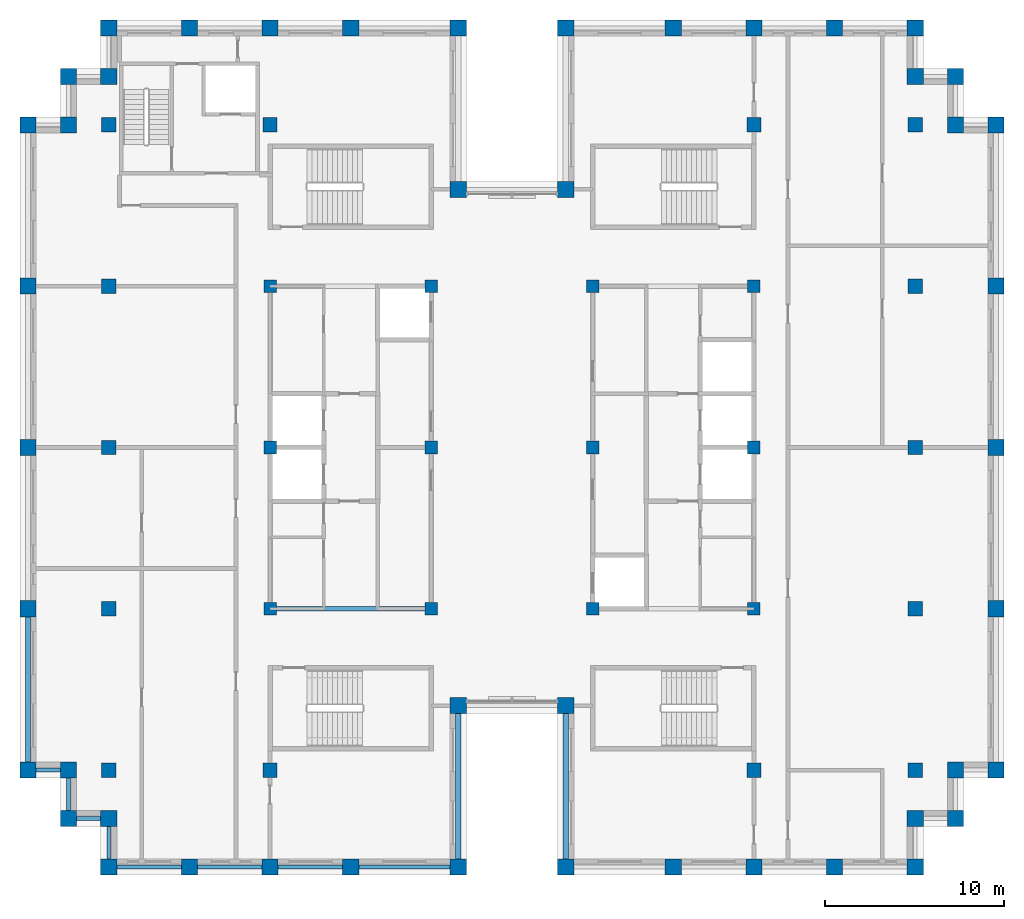
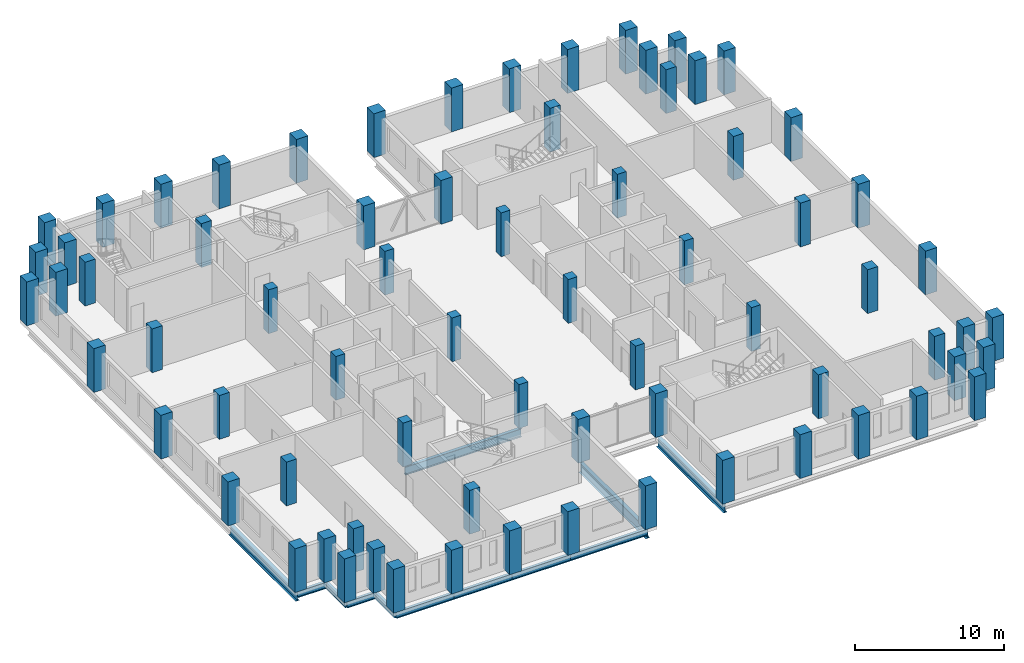
# One storey, part 1 of 13: 72 columns, 12 beams.
"""IFC4 building model written with IfcOpenShell, lengths in metres."""

from ifc_helpers import new_model, si_unit, direction, frame, origin, origin_2d, place, context, subcontext, project, spatial, rectangle, i_section, extrude, material, material_profile, profile_set, type_object, element, save


model = new_model("IFC4")

# Units and contexts
model_context = context("Model", 3, precision=1e-05, world=origin(), true_north=direction((0.0, 1.0)))
body_context = subcontext(model_context, "Body", "Model", "MODEL_VIEW")
ifc_project = project(units=[si_unit("LENGTHUNIT", "METRE"), si_unit("AREAUNIT", "SQUARE_METRE"), si_unit("VOLUMEUNIT", "CUBIC_METRE"), si_unit("PLANEANGLEUNIT", "RADIAN"), si_unit("MASSUNIT", "GRAM", prefix="KILO")], contexts=[model_context])

# Site, building, storey
site_placement = place(None, origin())
site = spatial("IfcSite", under=ifc_project, at=site_placement, CompositionType="ELEMENT")
building_placement = place(site_placement, origin())
building = spatial("IfcBuilding", under=site, at=building_placement, Name="Corbelhall Arena Tower", CompositionType="ELEMENT")
storey_placement = place(building_placement, frame((0.0, 0.0, 316.0)))
storey = spatial("IfcBuildingStorey", under=building, at=storey_placement, Name="L69", CompositionType="ELEMENT", Elevation=316.0)

# Columns
ifc_material_1 = material(Name="Concrete C80/95", Category="concrete")
ifc_material_profile_1 = material_profile(ifc_material_1, rectangle(XDim=0.699951171875, YDim=0.699951171875, at=origin_2d()))
ifc_profile_set_1 = profile_set([ifc_material_profile_1], Name="Concrete C80/95")
column_type_1 = type_object("IfcColumnType", Name="ST-COL-RC 700x700", PredefinedType="COLUMN", material=ifc_profile_set_1)
for number, where, z_axis, x_axis, name in (
    (1, (4.5, 0.0, 0.0), (0.0, 0.0, 1.0), (1.0, 0.0, 0.0), "Column KE+0450+0000"),
    (2, (4.5, 9.0, 0.0), (0.0, 0.0, 1.0), (1.0, 0.0, 0.0), "Column KE+0450+0900"),
    (3, (4.5, -9.0, 0.0), (0.0, 0.0, 1.0), (1.0, 0.0, 0.0), "Column KE+0450-0900"),
    (4, (13.5, 0.0, 0.0), (0.0, 0.0, 1.0), (1.0, 0.0, 0.0), "Column KE+1350+0000"),
    (5, (13.5, 9.0, 0.0), (0.0, 0.0, 1.0), (1.0, 0.0, 0.0), "Column KE+1350+0900"),
    (6, (13.5, -9.0, 0.0), (0.0, 0.0, 1.0), (1.0, 0.0, 0.0), "Column KE+1350-0900"),
    (7, (-4.5, 0.0, 0.0), (0.0, 0.0, 1.0), (1.0, 0.0, 0.0), "Column KW-0450+0000"),
    (8, (-4.5, 9.0, 0.0), (0.0, 0.0, 1.0), (1.0, 0.0, 0.0), "Column KW-0450+0900"),
    (9, (-4.5, -9.0, 0.0), (0.0, 0.0, 1.0), (1.0, 0.0, 0.0), "Column KW-0450-0900"),
    (10, (-13.5, 0.0, 0.0), (0.0, 0.0, 1.0), (1.0, 0.0, 0.0), "Column KW-1350+0000"),
    (11, (-13.5, 9.0, 0.0), (0.0, 0.0, 1.0), (1.0, 0.0, 0.0), "Column KW-1350+0900"),
    (12, (-13.5, -9.0, 0.0), (0.0, 0.0, 1.0), (1.0, 0.0, 0.0), "Column KW-1350-0900"),
):
    element("IfcColumn", number, at=place(storey_placement, frame(where, z_axis=z_axis, x_axis=x_axis)), inside=storey, type_object=column_type_1, Name=name, PredefinedType="COLUMN", context=body_context, shape_type="SweptSolid", body=[
        extrude(rectangle(XDim=0.699951171875, YDim=0.699951171875, at=origin_2d()), origin(), (0.0, 0.0, 1.0), 3.590087890625),
    ])
ifc_material_profile_2 = material_profile(ifc_material_1, rectangle(XDim=0.800048828125, YDim=0.800048828125, at=origin_2d()))
ifc_profile_set_2 = profile_set([ifc_material_profile_2], Name="Concrete C80/95")
column_type_2 = type_object("IfcColumnType", Name="ST-COL-RC 800x800", PredefinedType="COLUMN", material=ifc_profile_set_2)
for number, where, z_axis, x_axis, name in (
    (13, (13.5, 18.0, 0.0), (0.0, 0.0, 1.0), (1.0, 0.0, 0.0), "Column IE13+1800"),
    (14, (13.5, -18.0, 0.0), (0.0, 0.0, 1.0), (1.0, 0.0, 0.0), "Column IE13-1800"),
    (15, (22.5, 0.0, 0.0), (0.0, 0.0, 1.0), (1.0, 0.0, 0.0), "Column IE22+0000"),
    (16, (22.5, 9.0, 0.0), (0.0, 0.0, 1.0), (1.0, 0.0, 0.0), "Column IE22+0900"),
    (17, (22.5, 18.0, 0.0), (0.0, 0.0, 1.0), (1.0, 0.0, 0.0), "Column IE22+1800"),
    (18, (22.5, -9.0, 0.0), (0.0, 0.0, 1.0), (1.0, 0.0, 0.0), "Column IE22-0900"),
    (19, (22.5, -18.0, 0.0), (0.0, 0.0, 1.0), (1.0, 0.0, 0.0), "Column IE22-1800"),
    (20, (-13.5, 18.0, 0.0), (0.0, 0.0, 1.0), (1.0, 0.0, 0.0), "Column IW13+1800"),
    (21, (-13.5, -18.0, 0.0), (0.0, 0.0, 1.0), (1.0, 0.0, 0.0), "Column IW13-1800"),
    (22, (-22.5, 0.0, 0.0), (0.0, 0.0, 1.0), (1.0, 0.0, 0.0), "Column IW22+0000"),
    (23, (-22.5, 9.0, 0.0), (0.0, 0.0, 1.0), (1.0, 0.0, 0.0), "Column IW22+0900"),
    (24, (-22.5, 18.0, 0.0), (0.0, 0.0, 1.0), (1.0, 0.0, 0.0), "Column IW22+1800"),
    (25, (-22.5, -9.0, 0.0), (0.0, 0.0, 1.0), (1.0, 0.0, 0.0), "Column IW22-0900"),
    (26, (-22.5, -18.0, 0.0), (0.0, 0.0, 1.0), (1.0, 0.0, 0.0), "Column IW22-1800"),
):
    element("IfcColumn", number, at=place(storey_placement, frame(where, z_axis=z_axis, x_axis=x_axis)), inside=storey, type_object=column_type_2, Name=name, PredefinedType="COLUMN", context=body_context, shape_type="SweptSolid", body=[
        extrude(rectangle(XDim=0.800048828125, YDim=0.800048828125, at=origin_2d()), origin(), (0.0, 0.0, 1.0), 3.590087890625),
    ])
ifc_material_profile_3 = material_profile(ifc_material_1, rectangle(XDim=0.89990234375, YDim=0.89990234375, at=origin_2d()))
ifc_profile_set_3 = profile_set([ifc_material_profile_3], Name="Concrete C80/95")
column_type_3 = type_object("IfcColumnType", Name="ST-COL-RC 900x900", PredefinedType="COLUMN", material=ifc_profile_set_3)
for number, where, z_axis, x_axis, name in (
    (27, (27.0, 0.0, 0.0), (0.0, 0.0, 1.0), (0.0, 1.0, 0.0), "Column PE+0000"),
    (28, (27.0, 9.0, 0.0), (0.0, 0.0, 1.0), (0.0, 1.0, 0.0), "Column PE+0900"),
    (29, (27.0, 18.0, 0.0), (0.0, 0.0, 1.0), (0.0, 1.0, 0.0), "Column PE+1800"),
    (30, (27.0, -9.0, 0.0), (0.0, 0.0, 1.0), (0.0, 1.0, 0.0), "Column PE-0900"),
    (31, (27.0, -18.0, 0.0), (0.0, 0.0, 1.0), (0.0, 1.0, 0.0), "Column PE-1800"),
    (32, (3.0, 23.39990234375, 0.0), (0.0, 0.0, 1.0), (1.0, 0.0, 0.0), "Column PNE0300"),
    (33, (9.0, 23.39990234375, 0.0), (0.0, 0.0, 1.0), (1.0, 0.0, 0.0), "Column PNE0900"),
    (34, (13.5, 23.39990234375, 0.0), (0.0, 0.0, 1.0), (1.0, 0.0, 0.0), "Column PNE1350"),
    (35, (18.0, 23.39990234375, 0.0), (0.0, 0.0, 1.0), (1.0, 0.0, 0.0), "Column PNE1800"),
    (36, (22.5, 23.39990234375, 0.0), (0.0, 0.0, 1.0), (1.0, 0.0, 0.0), "Column PNE2250"),
    (37, (-3.0, 23.39990234375, 0.0), (0.0, 0.0, 1.0), (1.0, 0.0, 0.0), "Column PNW0300"),
    (38, (-9.0, 23.39990234375, 0.0), (0.0, 0.0, 1.0), (1.0, 0.0, 0.0), "Column PNW0900"),
    (39, (-13.5, 23.39990234375, 0.0), (0.0, 0.0, 1.0), (1.0, 0.0, 0.0), "Column PNW1350"),
    (40, (-18.0, 23.39990234375, 0.0), (0.0, 0.0, 1.0), (1.0, 0.0, 0.0), "Column PNW1800"),
    (41, (-22.5, 23.39990234375, 0.0), (0.0, 0.0, 1.0), (1.0, 0.0, 0.0), "Column PNW2250"),
    (42, (3.0, -23.39990234375, 0.0), (0.0, 0.0, 1.0), (1.0, 0.0, 0.0), "Column PSE0300"),
    (43, (9.0, -23.39990234375, 0.0), (0.0, 0.0, 1.0), (1.0, 0.0, 0.0), "Column PSE0900"),
    (44, (13.5, -23.39990234375, 0.0), (0.0, 0.0, 1.0), (1.0, 0.0, 0.0), "Column PSE1350"),
    (45, (18.0, -23.39990234375, 0.0), (0.0, 0.0, 1.0), (1.0, 0.0, 0.0), "Column PSE1800"),
    (46, (22.5, -23.39990234375, 0.0), (0.0, 0.0, 1.0), (1.0, 0.0, 0.0), "Column PSE2250"),
    (47, (-3.0, -23.39990234375, 0.0), (0.0, 0.0, 1.0), (1.0, 0.0, 0.0), "Column PSW0300"),
    (48, (-9.0, -23.39990234375, 0.0), (0.0, 0.0, 1.0), (1.0, 0.0, 0.0), "Column PSW0900"),
    (49, (-13.5, -23.39990234375, 0.0), (0.0, 0.0, 1.0), (1.0, 0.0, 0.0), "Column PSW1350"),
    (50, (-18.0, -23.39990234375, 0.0), (0.0, 0.0, 1.0), (1.0, 0.0, 0.0), "Column PSW1800"),
    (51, (-22.5, -23.39990234375, 0.0), (0.0, 0.0, 1.0), (1.0, 0.0, 0.0), "Column PSW2250"),
    (52, (-27.0, 0.0, 0.0), (0.0, 0.0, 1.0), (0.0, 1.0, 0.0), "Column PW+0000"),
    (53, (-27.0, 9.0, 0.0), (0.0, 0.0, 1.0), (0.0, 1.0, 0.0), "Column PW+0900"),
    (54, (-27.0, 18.0, 0.0), (0.0, 0.0, 1.0), (0.0, 1.0, 0.0), "Column PW+1800"),
    (55, (-27.0, -9.0, 0.0), (0.0, 0.0, 1.0), (0.0, 1.0, 0.0), "Column PW-0900"),
    (56, (-27.0, -18.0, 0.0), (0.0, 0.0, 1.0), (0.0, 1.0, 0.0), "Column PW-1800"),
    (57, (3.0, 14.39990234375, 0.0), (0.0, 0.0, 1.0), (1.0, 0.0, 0.0), "Column SLNE2"),
    (58, (-3.0, 14.39990234375, 0.0), (0.0, 0.0, 1.0), (1.0, 0.0, 0.0), "Column SLNW2"),
    (59, (3.0, -14.39990234375, 0.0), (0.0, 0.0, 1.0), (1.0, 0.0, 0.0), "Column SLSE2"),
    (60, (-3.0, -14.39990234375, 0.0), (0.0, 0.0, 1.0), (1.0, 0.0, 0.0), "Column SLSW2"),
    (61, (22.5, 20.699951171875, 0.0), (0.0, 0.0, 1.0), (1.0, 0.0, 0.0), "Column XNE1"),
    (62, (24.75, 20.699951171875, 0.0), (0.0, 0.0, 1.0), (1.0, 0.0, 0.0), "Column XNE2"),
    (63, (24.75, 18.0, 0.0), (0.0, 0.0, 1.0), (1.0, 0.0, 0.0), "Column XNE3"),
    (64, (-22.5, 20.699951171875, 0.0), (0.0, 0.0, 1.0), (1.0, 0.0, 0.0), "Column XNW1"),
    (65, (-24.75, 20.699951171875, 0.0), (0.0, 0.0, 1.0), (1.0, 0.0, 0.0), "Column XNW2"),
    (66, (-24.75, 18.0, 0.0), (0.0, 0.0, 1.0), (1.0, 0.0, 0.0), "Column XNW3"),
    (67, (22.5, -20.699951171875, 0.0), (0.0, 0.0, 1.0), (1.0, 0.0, 0.0), "Column XSE1"),
    (68, (24.75, -20.699951171875, 0.0), (0.0, 0.0, 1.0), (1.0, 0.0, 0.0), "Column XSE2"),
    (69, (24.75, -18.0, 0.0), (0.0, 0.0, 1.0), (1.0, 0.0, 0.0), "Column XSE3"),
    (70, (-22.5, -20.699951171875, 0.0), (0.0, 0.0, 1.0), (1.0, 0.0, 0.0), "Column XSW1"),
    (71, (-24.75, -20.699951171875, 0.0), (0.0, 0.0, 1.0), (1.0, 0.0, 0.0), "Column XSW2"),
    (72, (-24.75, -18.0, 0.0), (0.0, 0.0, 1.0), (1.0, 0.0, 0.0), "Column XSW3"),
):
    element("IfcColumn", number, at=place(storey_placement, frame(where, z_axis=z_axis, x_axis=x_axis)), inside=storey, type_object=column_type_3, Name=name, PredefinedType="COLUMN", context=body_context, shape_type="SweptSolid", body=[
        extrude(rectangle(XDim=0.89990234375, YDim=0.89990234375, at=origin_2d()), origin(), (0.0, 0.0, 1.0), 3.590087890625),
    ])

# Beams
ifc_material_2 = material(Name="Steel ASTM A992 Gr50", Category="steel")
ifc_material_profile_4 = material_profile(ifc_material_2, i_section(OverallWidth=0.25390625, OverallDepth=0.67822265625, WebThickness=0.01171875, FlangeThickness=0.016357421875, at=origin_2d()))
ifc_profile_set_4 = profile_set([ifc_material_profile_4], Name="Steel ASTM A992 Gr50")
beam_type_1 = type_object("IfcBeamType", Name="ST-BEAM-W27x84", PredefinedType="BEAM", material=ifc_profile_set_4)
beam_1_placement = place(storey_placement, frame((-13.5, -9.0, -0.59912109375), z_axis=(1.0, 0.0, 0.0), x_axis=(0.0, 1.0, 0.0)))
element("IfcBeam", 73, at=beam_1_placement, inside=storey, type_object=beam_type_1, Name="Beam CEW 5", PredefinedType="BEAM", context=body_context, shape_type="SweptSolid", body=[
    extrude(i_section(OverallWidth=0.25390625, OverallDepth=0.67822265625, WebThickness=0.01171875, FlangeThickness=0.016357421875, at=origin_2d()), origin(), (0.0, 0.0, 1.0), 9.0),
])
ifc_material_profile_5 = material_profile(ifc_material_2, i_section(OverallWidth=0.209228515625, OverallDepth=0.533447265625, WebThickness=0.01025390625, FlangeThickness=0.015625, at=origin_2d()))
ifc_profile_set_5 = profile_set([ifc_material_profile_5], Name="Steel ASTM A992 Gr50")
beam_type_2 = type_object("IfcBeamType", Name="ST-SPANDREL-W21x62", PredefinedType="SPANDREL", material=ifc_profile_set_5)
beam_2_placement = place(storey_placement, frame((-3.0, -23.39990234375, -0.526611328125), z_axis=(-1.0, 0.0, 0.0), x_axis=(0.0, -1.0, 0.0)))
element("IfcBeam", 74, at=beam_2_placement, inside=storey, type_object=beam_type_2, Name="Beam SP 21", PredefinedType="SPANDREL", context=body_context, shape_type="SweptSolid", body=[
    extrude(i_section(OverallWidth=0.209228515625, OverallDepth=0.533447265625, WebThickness=0.01025390625, FlangeThickness=0.015625, at=origin_2d()), origin(), (0.0, 0.0, 1.0), 6.0),
])
for number, where, z_axis, x_axis, name in (
    (75, (-9.0, -23.39990234375, -0.526611328125), (-1.0, 0.0, 0.0), (0.0, -1.0, 0.0), "Beam SP 22"),
    (76, (-13.5, -23.39990234375, -0.526611328125), (-1.0, 0.0, 0.0), (0.0, -1.0, 0.0), "Beam SP 23"),
    (77, (-18.0, -23.39990234375, -0.526611328125), (-1.0, 0.0, 0.0), (0.0, -1.0, 0.0), "Beam SP 24"),
):
    element("IfcBeam", number, at=place(storey_placement, frame(where, z_axis=z_axis, x_axis=x_axis)), inside=storey, type_object=beam_type_2, Name=name, PredefinedType="SPANDREL", context=body_context, shape_type="SweptSolid", body=[
        extrude(i_section(OverallWidth=0.209228515625, OverallDepth=0.533447265625, WebThickness=0.01025390625, FlangeThickness=0.015625, at=origin_2d()), origin(), (0.0, 0.0, 1.0), 4.5),
    ])
beam_3_placement = place(storey_placement, frame((-22.5, -23.39990234375, -0.526611328125), z_axis=(0.0, 1.0, 0.0), x_axis=(-1.0, 0.0, 0.0)))
element("IfcBeam", 78, at=beam_3_placement, inside=storey, type_object=beam_type_2, Name="Beam SP 25", PredefinedType="SPANDREL", context=body_context, shape_type="SweptSolid", body=[
    extrude(i_section(OverallWidth=0.209228515625, OverallDepth=0.533447265625, WebThickness=0.01025390625, FlangeThickness=0.015625, at=origin_2d()), origin(), (0.0, 0.0, 1.0), 2.699951171875),
])
beam_4_placement = place(storey_placement, frame((-22.5, -20.699951171875, -0.526611328125), z_axis=(-1.0, 0.0, 0.0), x_axis=(0.0, -1.0, 0.0)))
element("IfcBeam", 79, at=beam_4_placement, inside=storey, type_object=beam_type_2, Name="Beam SP 44", PredefinedType="SPANDREL", context=body_context, shape_type="SweptSolid", body=[
    extrude(i_section(OverallWidth=0.209228515625, OverallDepth=0.533447265625, WebThickness=0.01025390625, FlangeThickness=0.015625, at=origin_2d()), origin(), (0.0, 0.0, 1.0), 2.25),
])
beam_5_placement = place(storey_placement, frame((-24.75, -20.699951171875, -0.526611328125), z_axis=(0.0, 1.0, 0.0), x_axis=(-1.0, 0.0, 0.0)))
element("IfcBeam", 80, at=beam_5_placement, inside=storey, type_object=beam_type_2, Name="Beam SP 45", PredefinedType="SPANDREL", context=body_context, shape_type="SweptSolid", body=[
    extrude(i_section(OverallWidth=0.209228515625, OverallDepth=0.533447265625, WebThickness=0.01025390625, FlangeThickness=0.015625, at=origin_2d()), origin(), (0.0, 0.0, 1.0), 2.699951171875),
])
beam_6_placement = place(storey_placement, frame((-24.75, -18.0, -0.526611328125), z_axis=(-1.0, 0.0, 0.0), x_axis=(0.0, -1.0, 0.0)))
element("IfcBeam", 81, at=beam_6_placement, inside=storey, type_object=beam_type_2, Name="Beam SP 46", PredefinedType="SPANDREL", context=body_context, shape_type="SweptSolid", body=[
    extrude(i_section(OverallWidth=0.209228515625, OverallDepth=0.533447265625, WebThickness=0.01025390625, FlangeThickness=0.015625, at=origin_2d()), origin(), (0.0, 0.0, 1.0), 2.25),
])
ifc_material_profile_6 = material_profile(ifc_material_2, i_section(OverallWidth=0.2919921875, OverallDepth=0.845703125, WebThickness=0.015380859375, FlangeThickness=0.0244140625, at=origin_2d()))
ifc_profile_set_6 = profile_set([ifc_material_profile_6], Name="Steel ASTM A992 Gr50")
beam_type_3 = type_object("IfcBeamType", Name="ST-SPANDREL-W33x141", PredefinedType="SPANDREL", material=ifc_profile_set_6)
for number, where, z_axis, x_axis, name in (
    (82, (3.0, -23.39990234375, -0.682861328125), (0.0, 1.0, 0.0), (-1.0, 0.0, 0.0), "Beam SP 16"),
    (83, (-27.0, -18.0, -0.682861328125), (0.0, 1.0, 0.0), (-1.0, 0.0, 0.0), "Beam SP 30"),
    (84, (-3.0, -14.39990234375, -0.682861328125), (0.0, -1.0, 0.0), (1.0, 0.0, 0.0), "Beam SP 34"),
):
    element("IfcBeam", number, at=place(storey_placement, frame(where, z_axis=z_axis, x_axis=x_axis)), inside=storey, type_object=beam_type_3, Name=name, PredefinedType="SPANDREL", context=body_context, shape_type="SweptSolid", body=[
        extrude(i_section(OverallWidth=0.2919921875, OverallDepth=0.845703125, WebThickness=0.015380859375, FlangeThickness=0.0244140625, at=origin_2d()), origin(), (0.0, 0.0, 1.0), 9.0),
    ])

save(model, "model.ifc")
